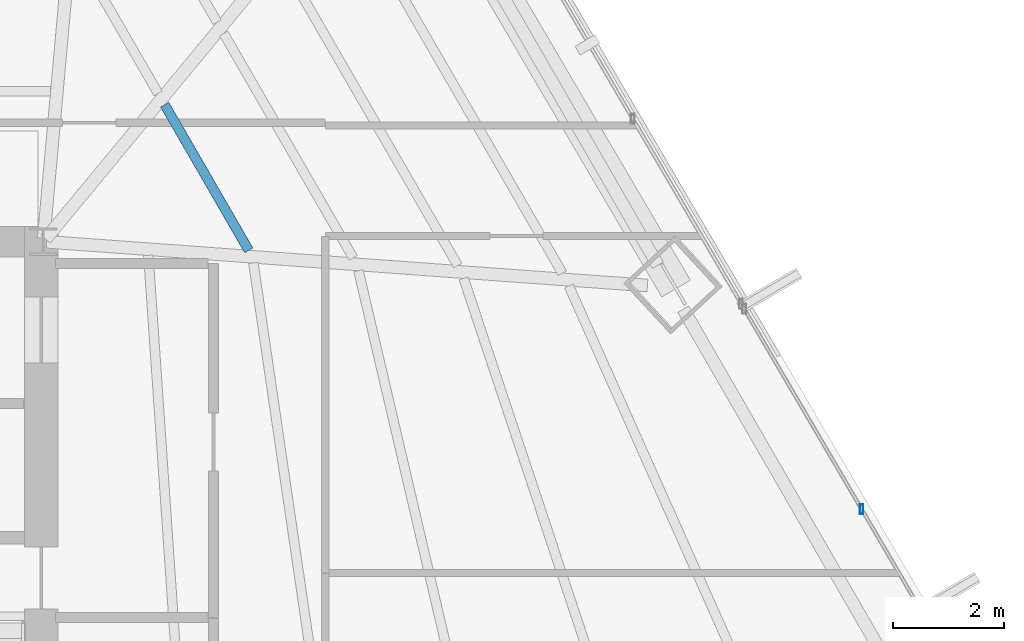
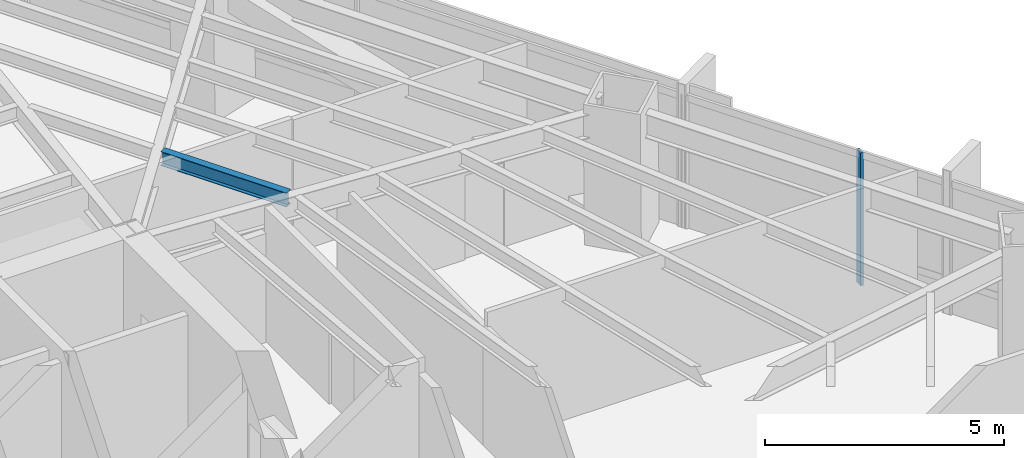
# One storey, part 18 of 33: 1 beam, 1 member, 1 element without a shape of its own.
"""IFC4 building model written with IfcOpenShell, lengths in metres."""

from ifc_helpers import new_model, si_unit, direction, frame, origin, origin_2d, place, context, subcontext, project, spatial, hollow_rectangle, i_section, extrude, source, transform, mapped, material, material_profile, profile_set, type_object, type_shapes, element, aggregate, save


model = new_model("IFC4")

# Units and contexts
model_context = context("Model", 3, precision=1e-05, world=origin(), true_north=direction((0.0, 1.0)))
body_context = subcontext(model_context, "Body", "Model", "MODEL_VIEW")
ifc_project = project(units=[si_unit("LENGTHUNIT", "METRE"), si_unit("AREAUNIT", "SQUARE_METRE"), si_unit("VOLUMEUNIT", "CUBIC_METRE"), si_unit("PLANEANGLEUNIT", "RADIAN"), si_unit("MASSUNIT", "GRAM", prefix="KILO")], contexts=[model_context])

# Site, building, storey
site_placement = place(None, origin())
site = spatial("IfcSite", under=ifc_project, at=site_placement, CompositionType="ELEMENT")
building_placement = place(site_placement, origin())
building = spatial("IfcBuilding", under=site, at=building_placement, Name="Caelisora Broadcast Tower", CompositionType="ELEMENT")
storey_placement = place(building_placement, frame((0.0, 0.0, 38.550048828125)))
storey = spatial("IfcBuildingStorey", under=building, at=storey_placement, Name="L09", CompositionType="ELEMENT", Elevation=38.550048828125)

# Beam
ifc_material_1 = material(Name="Steel Grade 350 (AS/NZS 3679.1)", Category="steel")
ifc_material_profile_1 = material_profile(ifc_material_1, i_section(OverallWidth=0.172119140625, OverallDepth=0.358642578125, WebThickness=0.008056640625, FlangeThickness=0.012939453125, at=origin_2d()), Name="Steel Grade 350 (AS/NZS 3679.1)")
ifc_profile_set_1 = profile_set([ifc_material_profile_1], Name="Steel Grade 350 (AS/NZS 3679.1)")
beam_type = type_object("IfcBeamType", Name="SB02", PredefinedType="JOIST", material=ifc_profile_set_1)
shared_shape_1 = source(origin(), body_context, "Body", "SweptSolid", [
    extrude(i_section(OverallWidth=0.172119140625, OverallDepth=0.358642578125, WebThickness=0.008056640625, FlangeThickness=0.012939453125, at=origin_2d()), origin(), (0.0, 0.0, 1.0), 3.0419921875),
])
type_shapes(beam_type, [shared_shape_1])
beam_placement = place(storey_placement, frame((49.215576171875, 29.841552734375, 3.220703125), z_axis=(-0.499988758949, 0.866031893711, 0.0), x_axis=(-0.866031893711, -0.499988758949, 0.0)))
element("IfcBeam", 1, at=beam_placement, inside=storey, type_object=beam_type, Name="L09 beam SB02", PredefinedType="JOIST", context=body_context, shape_type="MappedRepresentation", body=[
    mapped(shared_shape_1, transform((0.0, 0.0, 0.0), scale=1.0)),
])

# Curtain wall, member
ifc_material_2 = material(Name="Unitised Aluminium and Low-E Glass Curtain Wall", Category="glass")
curtain_wall_type = type_object("IfcCurtainWallType", Name="CW-Z1", PredefinedType="NOTDEFINED", material=ifc_material_2)
curtain_wall_placement = place(storey_placement, origin())
curtain_wall = element("IfcCurtainWall", 2, at=curtain_wall_placement, inside=storey, type_object=curtain_wall_type, Name="L09 curtain wall CW-Z1", PredefinedType="NOTDEFINED")
ifc_material_3 = material(Name="Aluminium 6063-T6 Anodised Terracotta Bronze", Category="aluminium")
ifc_material_profile_2 = material_profile(ifc_material_3, hollow_rectangle(XDim=0.06494140625, YDim=0.179931640625, WallThickness=0.00341796875, at=origin_2d()), Name="Aluminium 6063-T6 Anodised Terracotta Bronze")
ifc_profile_set_2 = profile_set([ifc_material_profile_2], Name="Aluminium 6063-T6 Anodised Terracotta Bronze")
member_type = type_object("IfcMemberType", Name="CWM-02", PredefinedType="MULLION", material=ifc_profile_set_2)
shared_shape_2 = source(origin(), body_context, "Body", "SweptSolid", [
    extrude(hollow_rectangle(XDim=0.06494140625, YDim=0.179931640625, WallThickness=0.00341796875, at=origin_2d()), origin(), (0.0, 0.0, 1.0), 3.39990234375),
])
type_shapes(member_type, [shared_shape_2])
member_placement = place(storey_placement, frame((60.305908203125, 25.1572265625, 0.0), z_axis=(0.0, 0.0, 1.0), x_axis=(1.0, 0.0, 0.0)))
member = element("IfcMember", 3, at=member_placement, type_object=member_type, Name="L09-CW-B03 mullion #1", PredefinedType="MULLION", context=body_context, shape_type="MappedRepresentation", body=[
    mapped(shared_shape_2, transform((0.0, 0.0, 0.0), scale=1.0)),
])
aggregate(curtain_wall, [member])

save(model, "model.ifc")
